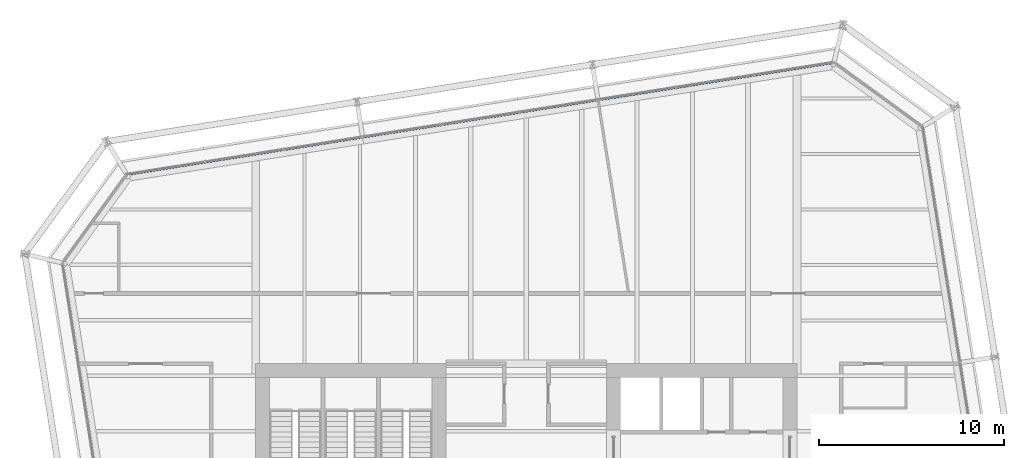
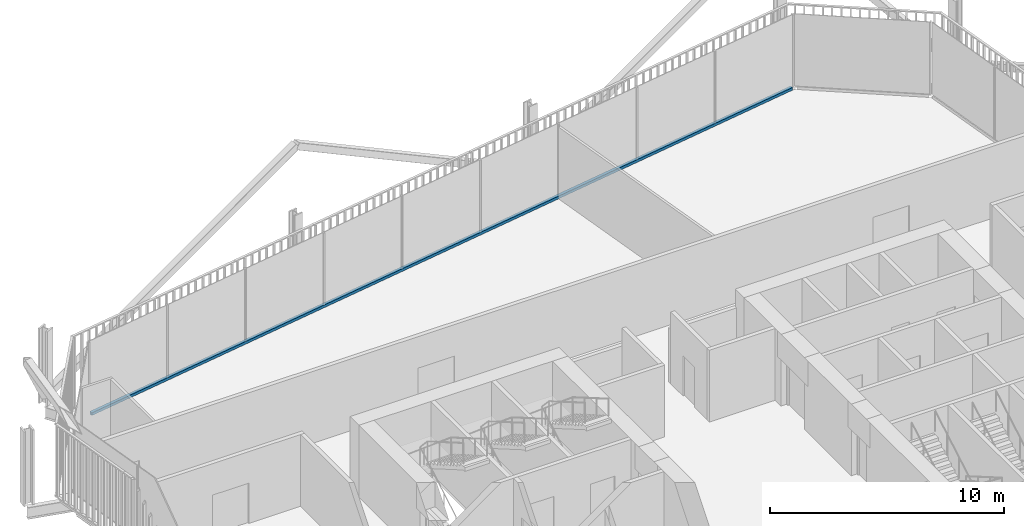
# One storey, part 12 of 22: 1 member, 1 element without a shape of its own.
"""IFC4 building model written with IfcOpenShell, lengths in metres."""

from ifc_helpers import new_model, si_unit, direction, frame, origin, origin_2d, place, context, subcontext, project, spatial, rectangle, extrude, material, layer, layer_set, material_profile, profile_set, type_object, element, aggregate, save


model = new_model("IFC4")

# Units and contexts
model_context = context("Model", 3, precision=1e-05, world=origin(), true_north=direction((0.0, 1.0)))
body_context = subcontext(model_context, "Body", "Model", "MODEL_VIEW")
ifc_project = project(units=[si_unit("LENGTHUNIT", "METRE"), si_unit("AREAUNIT", "SQUARE_METRE"), si_unit("VOLUMEUNIT", "CUBIC_METRE"), si_unit("PLANEANGLEUNIT", "RADIAN"), si_unit("MASSUNIT", "GRAM", prefix="KILO")], contexts=[model_context])

# Site, building, storey
site_placement = place(None, origin())
site = spatial("IfcSite", under=ifc_project, at=site_placement, CompositionType="ELEMENT")
building_placement = place(site_placement, origin())
building = spatial("IfcBuilding", under=site, at=building_placement, Name="Millrace Tower", CompositionType="ELEMENT")
storey_placement = place(building_placement, frame((0.0, 0.0, 145.10009765625)))
storey = spatial("IfcBuildingStorey", under=building, at=storey_placement, Name="L32", CompositionType="ELEMENT", Elevation=145.10009765625)

# Curtain wall, member
ifc_material_1 = material(Name="Aluminium and glass", Category="aluminium")
ifc_layer = layer(ifc_material_1, 0.14990234375)
ifc_layer_set = layer_set([ifc_layer], Name="Aluminium and glass")
curtain_wall_type = type_object("IfcCurtainWallType", Name="CW-1 office vision curtain wall", PredefinedType="NOTDEFINED", material=ifc_layer_set)
curtain_wall_placement = place(storey_placement, origin())
curtain_wall = element("IfcCurtainWall", 1, at=curtain_wall_placement, inside=storey, type_object=curtain_wall_type, Name="Curtain wall C-F06 L32", PredefinedType="NOTDEFINED")
ifc_material_2 = material(Name="Aluminium", Category="aluminium")
ifc_material_profile = material_profile(ifc_material_2, rectangle(XDim=0.14990234375, YDim=0.139892578125, at=origin_2d()))
ifc_profile_set = profile_set([ifc_material_profile], Name="Aluminium")
member_type = type_object("IfcMemberType", Name="CW-1 office vision curtain wall transom", PredefinedType="USERDEFINED", material=ifc_profile_set)
member_placement = place(storey_placement, frame((16.525146484375, 25.946044921875, 0.06982421875), z_axis=(-0.987688505691, -0.156433422663, 0.0), x_axis=(0.156433422663, -0.987688505691, 0.0)))
member = element("IfcMember", 2, at=member_placement, type_object=member_type, Name="CW1 transom C-F06.1", ObjectType="TRANSOM", PredefinedType="USERDEFINED", context=body_context, shape_type="SweptSolid", body=[
    extrude(rectangle(XDim=0.14990234375, YDim=0.139892578125, at=origin_2d()), origin(), (0.0, 0.0, 1.0), 38.5),
])
aggregate(curtain_wall, [member])

save(model, "model.ifc")
